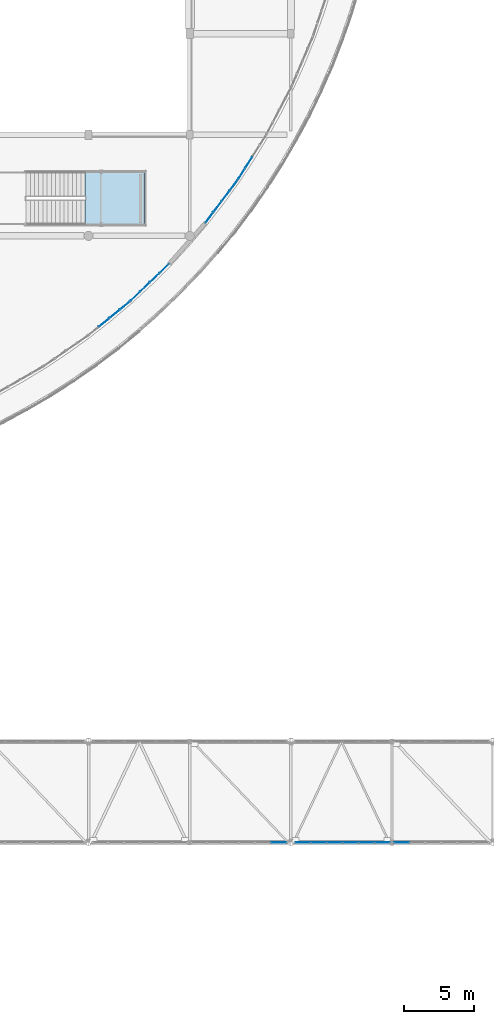
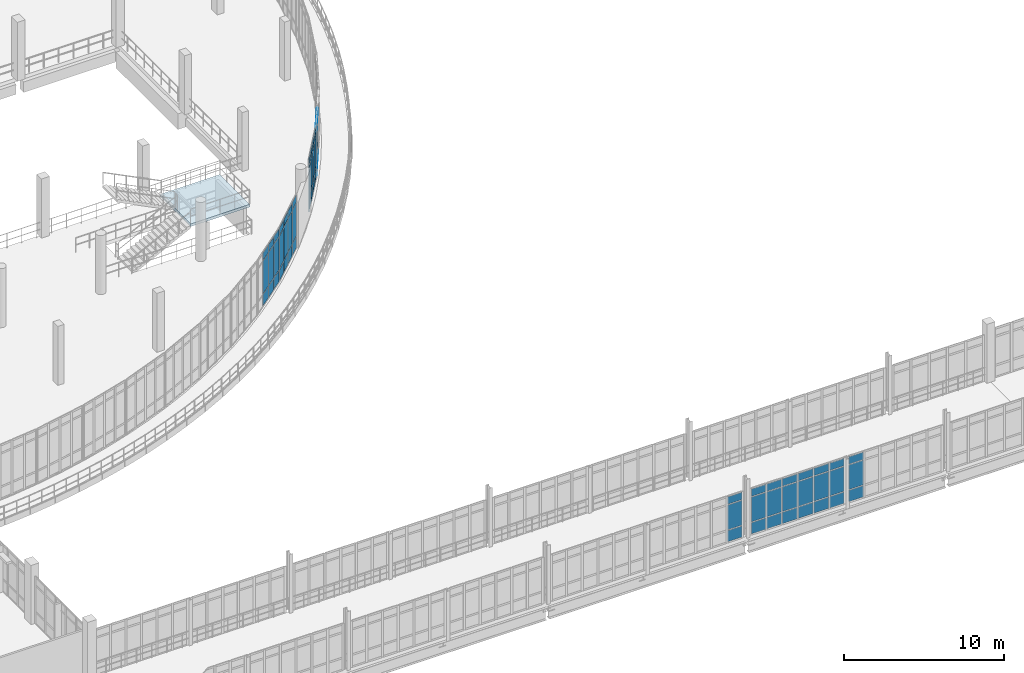
# One storey, part 93 of 124: 63 plates, 1 slab, 8 elements without a shape of their own.
"""IFC4 building model written with IfcOpenShell, lengths in metres."""

from ifc_helpers import new_model, si_unit, direction, frame, origin, origin_2d, place, context, subcontext, project, spatial, polyline, rectangle, outline, extrude, material, layer, layer_set, type_object, element, aggregate, save


model = new_model("IFC4")

# Units and contexts
model_context = context("Model", 3, precision=1e-05, world=origin(), true_north=direction((0.0, 1.0)))
body_context = subcontext(model_context, "Body", "Model", "MODEL_VIEW")
ifc_project = project(units=[si_unit("LENGTHUNIT", "METRE"), si_unit("AREAUNIT", "SQUARE_METRE"), si_unit("VOLUMEUNIT", "CUBIC_METRE"), si_unit("PLANEANGLEUNIT", "RADIAN"), si_unit("MASSUNIT", "GRAM", prefix="KILO")], contexts=[model_context])

# Site, building, storey
site_placement = place(None, origin())
site = spatial("IfcSite", under=ifc_project, at=site_placement, CompositionType="ELEMENT")
building_placement = place(site_placement, origin())
building = spatial("IfcBuilding", under=site, at=building_placement, Name="Kalluvel Institute of Natural Sciences", CompositionType="ELEMENT")
storey_placement = place(building_placement, frame((0.0, 0.0, 9.89990234375)))
storey = spatial("IfcBuildingStorey", under=building, at=storey_placement, Name="L02", CompositionType="ELEMENT", Elevation=9.89990234375)

# Curtain wall, plates
ifc_material_1 = material(Name="Aluminium AW-6063 T6", Category="aluminium")
curtain_wall_type_1 = type_object("IfcCurtainWallType", Name="CW-BRG-45", PredefinedType="USERDEFINED", material=ifc_material_1)
curtain_wall_1_placement = place(storey_placement, origin())
curtain_wall_1 = element("IfcCurtainWall", 1, at=curtain_wall_1_placement, inside=storey, type_object=curtain_wall_type_1, Name="L02 Gothic lancet curtain wall CWA-L02-X717-Y284", ObjectType="UNITISED LANCET FACADE", PredefinedType="USERDEFINED")
ifc_material_2 = material(Name="Solar-Control Low-E Laminated Glass", Category="glass")
ifc_layer_1 = layer(ifc_material_2, 0.031982421875)
ifc_layer_set_1 = layer_set([ifc_layer_1], Name="Solar-Control Low-E Laminated Glass")
plate_type_1 = type_object("IfcPlateType", Name="CWP-DGU-32", PredefinedType="CURTAIN_PANEL", material=ifc_layer_set_1)
plate_1_placement = place(storey_placement, frame((77.942138671875, 28.39990234375, 0.06005859375), z_axis=(0.0, 0.0, 1.0), x_axis=(1.0, 0.0, 0.0)))
plate_1 = element("IfcPlate", 2, at=plate_1_placement, type_object=plate_type_1, Name="CW-07 panel 6.1", PredefinedType="CURTAIN_PANEL", context=body_context, shape_type="SweptSolid", body=[
    extrude(rectangle(XDim=1.0458984375, YDim=0.031982421875, at=origin_2d()), origin(), (0.0, 0.0, 1.0), 0.860107421875),
])
plate_2_placement = place(storey_placement, frame((77.942138671875, 28.39990234375, 0.980224609375), z_axis=(0.0, 0.0, 1.0), x_axis=(1.0, 0.0, 0.0)))
plate_2 = element("IfcPlate", 3, at=plate_2_placement, type_object=plate_type_1, Name="CW-07 panel 6.2", PredefinedType="CURTAIN_PANEL", context=body_context, shape_type="SweptSolid", body=[
    extrude(rectangle(XDim=1.0458984375, YDim=0.031982421875, at=origin_2d()), origin(), (0.0, 0.0, 1.0), 1.8798828125),
])
plate_3_placement = place(storey_placement, frame((77.942138671875, 28.39990234375, 2.920166015625), z_axis=(0.0, 0.0, 1.0), x_axis=(1.0, 0.0, 0.0)))
plate_3 = element("IfcPlate", 4, at=plate_3_placement, type_object=plate_type_1, Name="CW-07 panel 6.3", PredefinedType="CURTAIN_PANEL", context=body_context, shape_type="SweptSolid", body=[
    extrude(rectangle(XDim=1.0458984375, YDim=0.031982421875, at=origin_2d()), origin(), (0.0, 0.0, 1.0), 0.56005859375),
])
aggregate(curtain_wall_1, [plate_1, plate_2, plate_3])

curtain_wall_2_placement = place(storey_placement, origin())
curtain_wall_2 = element("IfcCurtainWall", 5, at=curtain_wall_2_placement, inside=storey, type_object=curtain_wall_type_1, Name="L02 Gothic lancet curtain wall CWA-L02-X791-Y284", ObjectType="UNITISED LANCET FACADE", PredefinedType="USERDEFINED")
plate_4_placement = place(storey_placement, frame((79.657958984375, 28.39990234375, 0.06005859375), z_axis=(0.0, 0.0, 1.0), x_axis=(1.0, 0.0, 0.0)))
plate_4 = element("IfcPlate", 6, at=plate_4_placement, type_object=plate_type_1, Name="CW-07 panel 1.1", PredefinedType="CURTAIN_PANEL", context=body_context, shape_type="SweptSolid", body=[
    extrude(rectangle(XDim=1.0458984375, YDim=0.031982421875, at=origin_2d()), origin(), (0.0, 0.0, 1.0), 0.860107421875),
])
plate_5_placement = place(storey_placement, frame((79.657958984375, 28.39990234375, 0.980224609375), z_axis=(0.0, 0.0, 1.0), x_axis=(1.0, 0.0, 0.0)))
plate_5 = element("IfcPlate", 7, at=plate_5_placement, type_object=plate_type_1, Name="CW-07 panel 1.2", PredefinedType="CURTAIN_PANEL", context=body_context, shape_type="SweptSolid", body=[
    extrude(rectangle(XDim=1.0458984375, YDim=0.031982421875, at=origin_2d()), origin(), (0.0, 0.0, 1.0), 1.8798828125),
])
plate_6_placement = place(storey_placement, frame((79.657958984375, 28.39990234375, 2.920166015625), z_axis=(0.0, 0.0, 1.0), x_axis=(1.0, 0.0, 0.0)))
plate_6 = element("IfcPlate", 8, at=plate_6_placement, type_object=plate_type_1, Name="CW-07 panel 1.3", PredefinedType="CURTAIN_PANEL", context=body_context, shape_type="SweptSolid", body=[
    extrude(rectangle(XDim=1.0458984375, YDim=0.031982421875, at=origin_2d()), origin(), (0.0, 0.0, 1.0), 0.56005859375),
])
plate_7_placement = place(storey_placement, frame((80.77880859375, 28.39990234375, 0.06005859375), z_axis=(0.0, 0.0, 1.0), x_axis=(1.0, 0.0, 0.0)))
plate_7 = element("IfcPlate", 9, at=plate_7_placement, type_object=plate_type_1, Name="CW-07 panel 2.1", PredefinedType="CURTAIN_PANEL", context=body_context, shape_type="SweptSolid", body=[
    extrude(rectangle(XDim=1.075927734375, YDim=0.031982421875, at=origin_2d()), origin(), (0.0, 0.0, 1.0), 0.860107421875),
])
plate_8_placement = place(storey_placement, frame((80.77880859375, 28.39990234375, 0.980224609375), z_axis=(0.0, 0.0, 1.0), x_axis=(1.0, 0.0, 0.0)))
plate_8 = element("IfcPlate", 10, at=plate_8_placement, type_object=plate_type_1, Name="CW-07 panel 2.2", PredefinedType="CURTAIN_PANEL", context=body_context, shape_type="SweptSolid", body=[
    extrude(rectangle(XDim=1.075927734375, YDim=0.031982421875, at=origin_2d()), origin(), (0.0, 0.0, 1.0), 1.8798828125),
])
plate_9_placement = place(storey_placement, frame((80.77880859375, 28.39990234375, 2.920166015625), z_axis=(0.0, 0.0, 1.0), x_axis=(1.0, 0.0, 0.0)))
plate_9 = element("IfcPlate", 11, at=plate_9_placement, type_object=plate_type_1, Name="CW-07 panel 2.3", PredefinedType="CURTAIN_PANEL", context=body_context, shape_type="SweptSolid", body=[
    extrude(rectangle(XDim=1.075927734375, YDim=0.031982421875, at=origin_2d()), origin(), (0.0, 0.0, 1.0), 0.56005859375),
])
plate_10_placement = place(storey_placement, frame((81.91455078125, 28.39990234375, 0.06005859375), z_axis=(0.0, 0.0, 1.0), x_axis=(1.0, 0.0, 0.0)))
plate_10 = element("IfcPlate", 12, at=plate_10_placement, type_object=plate_type_1, Name="CW-07 panel 3.1", PredefinedType="CURTAIN_PANEL", context=body_context, shape_type="SweptSolid", body=[
    extrude(rectangle(XDim=1.075927734375, YDim=0.031982421875, at=origin_2d()), origin(), (0.0, 0.0, 1.0), 0.860107421875),
])
plate_11_placement = place(storey_placement, frame((81.91455078125, 28.39990234375, 0.980224609375), z_axis=(0.0, 0.0, 1.0), x_axis=(1.0, 0.0, 0.0)))
plate_11 = element("IfcPlate", 13, at=plate_11_placement, type_object=plate_type_1, Name="CW-07 panel 3.2", PredefinedType="CURTAIN_PANEL", context=body_context, shape_type="SweptSolid", body=[
    extrude(rectangle(XDim=1.075927734375, YDim=0.031982421875, at=origin_2d()), origin(), (0.0, 0.0, 1.0), 1.8798828125),
])
plate_12_placement = place(storey_placement, frame((81.91455078125, 28.39990234375, 2.920166015625), z_axis=(0.0, 0.0, 1.0), x_axis=(1.0, 0.0, 0.0)))
plate_12 = element("IfcPlate", 14, at=plate_12_placement, type_object=plate_type_1, Name="CW-07 panel 3.3", PredefinedType="CURTAIN_PANEL", context=body_context, shape_type="SweptSolid", body=[
    extrude(rectangle(XDim=1.075927734375, YDim=0.031982421875, at=origin_2d()), origin(), (0.0, 0.0, 1.0), 0.56005859375),
])
plate_13_placement = place(storey_placement, frame((83.050537109375, 28.39990234375, 0.06005859375), z_axis=(0.0, 0.0, 1.0), x_axis=(1.0, 0.0, 0.0)))
plate_13 = element("IfcPlate", 15, at=plate_13_placement, type_object=plate_type_1, Name="CW-07 panel 4.1", PredefinedType="CURTAIN_PANEL", context=body_context, shape_type="SweptSolid", body=[
    extrude(rectangle(XDim=1.075927734375, YDim=0.031982421875, at=origin_2d()), origin(), (0.0, 0.0, 1.0), 0.860107421875),
])
plate_14_placement = place(storey_placement, frame((83.050537109375, 28.39990234375, 0.980224609375), z_axis=(0.0, 0.0, 1.0), x_axis=(1.0, 0.0, 0.0)))
plate_14 = element("IfcPlate", 16, at=plate_14_placement, type_object=plate_type_1, Name="CW-07 panel 4.2", PredefinedType="CURTAIN_PANEL", context=body_context, shape_type="SweptSolid", body=[
    extrude(rectangle(XDim=1.075927734375, YDim=0.031982421875, at=origin_2d()), origin(), (0.0, 0.0, 1.0), 1.8798828125),
])
plate_15_placement = place(storey_placement, frame((83.050537109375, 28.39990234375, 2.920166015625), z_axis=(0.0, 0.0, 1.0), x_axis=(1.0, 0.0, 0.0)))
plate_15 = element("IfcPlate", 17, at=plate_15_placement, type_object=plate_type_1, Name="CW-07 panel 4.3", PredefinedType="CURTAIN_PANEL", context=body_context, shape_type="SweptSolid", body=[
    extrude(rectangle(XDim=1.075927734375, YDim=0.031982421875, at=origin_2d()), origin(), (0.0, 0.0, 1.0), 0.56005859375),
])
plate_16_placement = place(storey_placement, frame((84.186279296875, 28.39990234375, 0.06005859375), z_axis=(0.0, 0.0, 1.0), x_axis=(1.0, 0.0, 0.0)))
plate_16 = element("IfcPlate", 18, at=plate_16_placement, type_object=plate_type_1, Name="CW-07 panel 5.1", PredefinedType="CURTAIN_PANEL", context=body_context, shape_type="SweptSolid", body=[
    extrude(rectangle(XDim=1.075927734375, YDim=0.031982421875, at=origin_2d()), origin(), (0.0, 0.0, 1.0), 0.860107421875),
])
plate_17_placement = place(storey_placement, frame((84.186279296875, 28.39990234375, 0.980224609375), z_axis=(0.0, 0.0, 1.0), x_axis=(1.0, 0.0, 0.0)))
plate_17 = element("IfcPlate", 19, at=plate_17_placement, type_object=plate_type_1, Name="CW-07 panel 5.2", PredefinedType="CURTAIN_PANEL", context=body_context, shape_type="SweptSolid", body=[
    extrude(rectangle(XDim=1.075927734375, YDim=0.031982421875, at=origin_2d()), origin(), (0.0, 0.0, 1.0), 1.8798828125),
])
plate_18_placement = place(storey_placement, frame((84.186279296875, 28.39990234375, 2.920166015625), z_axis=(0.0, 0.0, 1.0), x_axis=(1.0, 0.0, 0.0)))
plate_18 = element("IfcPlate", 20, at=plate_18_placement, type_object=plate_type_1, Name="CW-07 panel 5.3", PredefinedType="CURTAIN_PANEL", context=body_context, shape_type="SweptSolid", body=[
    extrude(rectangle(XDim=1.075927734375, YDim=0.031982421875, at=origin_2d()), origin(), (0.0, 0.0, 1.0), 0.56005859375),
])
plate_19_placement = place(storey_placement, frame((85.30712890625, 28.39990234375, 0.06005859375), z_axis=(0.0, 0.0, 1.0), x_axis=(1.0, 0.0, 0.0)))
plate_19 = element("IfcPlate", 21, at=plate_19_placement, type_object=plate_type_1, Name="CW-07 panel 6.1", PredefinedType="CURTAIN_PANEL", context=body_context, shape_type="SweptSolid", body=[
    extrude(rectangle(XDim=1.0458984375, YDim=0.031982421875, at=origin_2d()), origin(), (0.0, 0.0, 1.0), 0.860107421875),
])
plate_20_placement = place(storey_placement, frame((85.30712890625, 28.39990234375, 0.980224609375), z_axis=(0.0, 0.0, 1.0), x_axis=(1.0, 0.0, 0.0)))
plate_20 = element("IfcPlate", 22, at=plate_20_placement, type_object=plate_type_1, Name="CW-07 panel 6.2", PredefinedType="CURTAIN_PANEL", context=body_context, shape_type="SweptSolid", body=[
    extrude(rectangle(XDim=1.0458984375, YDim=0.031982421875, at=origin_2d()), origin(), (0.0, 0.0, 1.0), 1.8798828125),
])
plate_21_placement = place(storey_placement, frame((85.30712890625, 28.39990234375, 2.920166015625), z_axis=(0.0, 0.0, 1.0), x_axis=(1.0, 0.0, 0.0)))
plate_21 = element("IfcPlate", 23, at=plate_21_placement, type_object=plate_type_1, Name="CW-07 panel 6.3", PredefinedType="CURTAIN_PANEL", context=body_context, shape_type="SweptSolid", body=[
    extrude(rectangle(XDim=1.0458984375, YDim=0.031982421875, at=origin_2d()), origin(), (0.0, 0.0, 1.0), 0.56005859375),
])
aggregate(curtain_wall_2, [plate_4, plate_5, plate_6, plate_7, plate_8, plate_9, plate_10, plate_11, plate_12, plate_13, plate_14, plate_15, plate_16, plate_17, plate_18, plate_19, plate_20, plate_21])

curtain_wall_3_placement = place(storey_placement, origin())
curtain_wall_3 = element("IfcCurtainWall", 24, at=curtain_wall_3_placement, inside=storey, type_object=curtain_wall_type_1, Name="L02 Gothic lancet curtain wall CWA-L02-X861-Y284", ObjectType="UNITISED LANCET FACADE", PredefinedType="USERDEFINED")
plate_22_placement = place(storey_placement, frame((86.69287109375, 28.39990234375, 0.06005859375), z_axis=(0.0, 0.0, 1.0), x_axis=(1.0, 0.0, 0.0)))
plate_22 = element("IfcPlate", 25, at=plate_22_placement, type_object=plate_type_1, Name="CW-07 panel 1.1", PredefinedType="CURTAIN_PANEL", context=body_context, shape_type="SweptSolid", body=[
    extrude(rectangle(XDim=1.0458984375, YDim=0.031982421875, at=origin_2d()), origin(), (0.0, 0.0, 1.0), 0.860107421875),
])
plate_23_placement = place(storey_placement, frame((86.69287109375, 28.39990234375, 0.980224609375), z_axis=(0.0, 0.0, 1.0), x_axis=(1.0, 0.0, 0.0)))
plate_23 = element("IfcPlate", 26, at=plate_23_placement, type_object=plate_type_1, Name="CW-07 panel 1.2", PredefinedType="CURTAIN_PANEL", context=body_context, shape_type="SweptSolid", body=[
    extrude(rectangle(XDim=1.0458984375, YDim=0.031982421875, at=origin_2d()), origin(), (0.0, 0.0, 1.0), 1.8798828125),
])
plate_24_placement = place(storey_placement, frame((86.69287109375, 28.39990234375, 2.920166015625), z_axis=(0.0, 0.0, 1.0), x_axis=(1.0, 0.0, 0.0)))
plate_24 = element("IfcPlate", 27, at=plate_24_placement, type_object=plate_type_1, Name="CW-07 panel 1.3", PredefinedType="CURTAIN_PANEL", context=body_context, shape_type="SweptSolid", body=[
    extrude(rectangle(XDim=1.0458984375, YDim=0.031982421875, at=origin_2d()), origin(), (0.0, 0.0, 1.0), 0.56005859375),
])
aggregate(curtain_wall_3, [plate_22, plate_23, plate_24])

curtain_wall_type_2 = type_object("IfcCurtainWallType", Name="CW-ATR-ARC", PredefinedType="USERDEFINED", material=ifc_material_1)
curtain_wall_4_placement = place(storey_placement, origin())
curtain_wall_4 = element("IfcCurtainWall", 28, at=curtain_wall_4_placement, inside=storey, type_object=curtain_wall_type_2, Name="L02 Gothic lancet curtain wall CWA-L02-X644-Y645", ObjectType="UNITISED LANCET FACADE", PredefinedType="USERDEFINED")
ifc_layer_2 = layer(ifc_material_2, 0.035888671875)
ifc_layer_set_2 = layer_set([ifc_layer_2], Name="Solar-Control Low-E Laminated Glass")
plate_type_2 = type_object("IfcPlateType", Name="CWP-DGU-36", PredefinedType="CURTAIN_PANEL", material=ifc_layer_set_2)
plate_25_placement = place(storey_placement, frame((65.49609375, 65.421630859375, 0.06005859375), z_axis=(0.0, 0.0, 1.0), x_axis=(0.774608325744, 0.632441255523, 0.0)))
plate_25 = element("IfcPlate", 29, at=plate_25_placement, type_object=plate_type_2, Name="CW-05 panel 2.1", PredefinedType="CURTAIN_PANEL", context=body_context, shape_type="SweptSolid", body=[
    extrude(rectangle(XDim=0.904296875, YDim=0.035888671875, at=origin_2d()), origin(), (0.0, 0.0, 1.0), 0.860107421875),
])
plate_26_placement = place(storey_placement, frame((65.49609375, 65.421630859375, 0.97998046875), z_axis=(0.0, 0.0, 1.0), x_axis=(0.774608325744, 0.632441255523, 0.0)))
plate_26 = element("IfcPlate", 30, at=plate_26_placement, type_object=plate_type_2, Name="CW-05 panel 2.2", PredefinedType="CURTAIN_PANEL", context=body_context, shape_type="SweptSolid", body=[
    extrude(rectangle(XDim=0.904296875, YDim=0.035888671875, at=origin_2d()), origin(), (0.0, 0.0, 1.0), 2.489990234375),
])
plate_27_placement = place(storey_placement, frame((65.49609375, 65.421630859375, 3.530029296875), z_axis=(0.0, 0.0, 1.0), x_axis=(0.774608325744, 0.632441255523, 0.0)))
plate_27 = element("IfcPlate", 31, at=plate_27_placement, type_object=plate_type_2, Name="CW-05 panel 2.3", PredefinedType="CURTAIN_PANEL", context=body_context, shape_type="SweptSolid", body=[
    extrude(rectangle(XDim=0.904296875, YDim=0.035888671875, at=origin_2d()), origin(), (0.0, 0.0, 1.0), 0.56005859375),
])
plate_28_placement = place(storey_placement, frame((66.2431640625, 66.031494140625, 0.06005859375), z_axis=(0.0, 0.0, 1.0), x_axis=(0.774608325744, 0.632441255523, 0.0)))
plate_28 = element("IfcPlate", 32, at=plate_28_placement, type_object=plate_type_2, Name="CW-05 panel 3.1", PredefinedType="CURTAIN_PANEL", context=body_context, shape_type="SweptSolid", body=[
    extrude(rectangle(XDim=0.904296875, YDim=0.035888671875, at=origin_2d()), origin(), (0.0, 0.0, 1.0), 0.860107421875),
])
plate_29_placement = place(storey_placement, frame((66.2431640625, 66.031494140625, 0.97998046875), z_axis=(0.0, 0.0, 1.0), x_axis=(0.774608325744, 0.632441255523, 0.0)))
plate_29 = element("IfcPlate", 33, at=plate_29_placement, type_object=plate_type_2, Name="CW-05 panel 3.2", PredefinedType="CURTAIN_PANEL", context=body_context, shape_type="SweptSolid", body=[
    extrude(rectangle(XDim=0.904296875, YDim=0.035888671875, at=origin_2d()), origin(), (0.0, 0.0, 1.0), 2.489990234375),
])
plate_30_placement = place(storey_placement, frame((66.2431640625, 66.031494140625, 3.530029296875), z_axis=(0.0, 0.0, 1.0), x_axis=(0.774608325744, 0.632441255523, 0.0)))
plate_30 = element("IfcPlate", 34, at=plate_30_placement, type_object=plate_type_2, Name="CW-05 panel 3.3", PredefinedType="CURTAIN_PANEL", context=body_context, shape_type="SweptSolid", body=[
    extrude(rectangle(XDim=0.904296875, YDim=0.035888671875, at=origin_2d()), origin(), (0.0, 0.0, 1.0), 0.56005859375),
])
plate_31_placement = place(storey_placement, frame((66.978515625, 66.6318359375, 0.06005859375), z_axis=(0.0, 0.0, 1.0), x_axis=(0.774608325744, 0.632441255523, 0.0)))
plate_31 = element("IfcPlate", 35, at=plate_31_placement, type_object=plate_type_2, Name="CW-05 panel 4.1", PredefinedType="CURTAIN_PANEL", context=body_context, shape_type="SweptSolid", body=[
    extrude(rectangle(XDim=0.874267578125, YDim=0.035888671875, at=origin_2d()), origin(), (0.0, 0.0, 1.0), 0.860107421875),
])
plate_32_placement = place(storey_placement, frame((66.978515625, 66.6318359375, 0.97998046875), z_axis=(0.0, 0.0, 1.0), x_axis=(0.774608325744, 0.632441255523, 0.0)))
plate_32 = element("IfcPlate", 36, at=plate_32_placement, type_object=plate_type_2, Name="CW-05 panel 4.2", PredefinedType="CURTAIN_PANEL", context=body_context, shape_type="SweptSolid", body=[
    extrude(rectangle(XDim=0.874267578125, YDim=0.035888671875, at=origin_2d()), origin(), (0.0, 0.0, 1.0), 2.489990234375),
])
plate_33_placement = place(storey_placement, frame((66.978515625, 66.6318359375, 3.530029296875), z_axis=(0.0, 0.0, 1.0), x_axis=(0.774608325744, 0.632441255523, 0.0)))
plate_33 = element("IfcPlate", 37, at=plate_33_placement, type_object=plate_type_2, Name="CW-05 panel 4.3", PredefinedType="CURTAIN_PANEL", context=body_context, shape_type="SweptSolid", body=[
    extrude(rectangle(XDim=0.874267578125, YDim=0.035888671875, at=origin_2d()), origin(), (0.0, 0.0, 1.0), 0.56005859375),
])
aggregate(curtain_wall_4, [plate_25, plate_26, plate_27, plate_28, plate_29, plate_30, plate_31, plate_32, plate_33])

curtain_wall_5_placement = place(storey_placement, origin())
curtain_wall_5 = element("IfcCurtainWall", 38, at=curtain_wall_5_placement, inside=storey, type_object=curtain_wall_type_2, Name="L02 Gothic lancet curtain wall CWA-L02-X674-Y669", ObjectType="UNITISED LANCET FACADE", PredefinedType="USERDEFINED")
plate_34_placement = place(storey_placement, frame((67.72216796875, 67.290771484375, 0.06005859375), z_axis=(0.0, 0.0, 1.0), x_axis=(0.721195618202, 0.692731463329, 0.0)))
plate_34 = element("IfcPlate", 39, at=plate_34_placement, type_object=plate_type_2, Name="CW-05 panel 1.1", PredefinedType="CURTAIN_PANEL", context=body_context, shape_type="SweptSolid", body=[
    extrude(rectangle(XDim=0.874267578125, YDim=0.035888671875, at=origin_2d()), origin(), (0.0, 0.0, 1.0), 0.860107421875),
])
plate_35_placement = place(storey_placement, frame((67.72216796875, 67.290771484375, 0.97998046875), z_axis=(0.0, 0.0, 1.0), x_axis=(0.721195618202, 0.692731463329, 0.0)))
plate_35 = element("IfcPlate", 40, at=plate_35_placement, type_object=plate_type_2, Name="CW-05 panel 1.2", PredefinedType="CURTAIN_PANEL", context=body_context, shape_type="SweptSolid", body=[
    extrude(rectangle(XDim=0.874267578125, YDim=0.035888671875, at=origin_2d()), origin(), (0.0, 0.0, 1.0), 2.489990234375),
])
plate_36_placement = place(storey_placement, frame((67.72216796875, 67.290771484375, 3.530029296875), z_axis=(0.0, 0.0, 1.0), x_axis=(0.721195618202, 0.692731463329, 0.0)))
plate_36 = element("IfcPlate", 41, at=plate_36_placement, type_object=plate_type_2, Name="CW-05 panel 1.3", PredefinedType="CURTAIN_PANEL", context=body_context, shape_type="SweptSolid", body=[
    extrude(rectangle(XDim=0.874267578125, YDim=0.035888671875, at=origin_2d()), origin(), (0.0, 0.0, 1.0), 0.56005859375),
])
plate_37_placement = place(storey_placement, frame((68.40673828125, 67.948486328125, 0.06005859375), z_axis=(0.0, 0.0, 1.0), x_axis=(0.721195618202, 0.692731463329, 0.0)))
plate_37 = element("IfcPlate", 42, at=plate_37_placement, type_object=plate_type_2, Name="CW-05 panel 2.1", PredefinedType="CURTAIN_PANEL", context=body_context, shape_type="SweptSolid", body=[
    extrude(rectangle(XDim=0.904296875, YDim=0.035888671875, at=origin_2d()), origin(), (0.0, 0.0, 1.0), 0.860107421875),
])
plate_38_placement = place(storey_placement, frame((68.40673828125, 67.948486328125, 0.97998046875), z_axis=(0.0, 0.0, 1.0), x_axis=(0.721195618202, 0.692731463329, 0.0)))
plate_38 = element("IfcPlate", 43, at=plate_38_placement, type_object=plate_type_2, Name="CW-05 panel 2.2", PredefinedType="CURTAIN_PANEL", context=body_context, shape_type="SweptSolid", body=[
    extrude(rectangle(XDim=0.904296875, YDim=0.035888671875, at=origin_2d()), origin(), (0.0, 0.0, 1.0), 2.489990234375),
])
plate_39_placement = place(storey_placement, frame((68.40673828125, 67.948486328125, 3.530029296875), z_axis=(0.0, 0.0, 1.0), x_axis=(0.721195618202, 0.692731463329, 0.0)))
plate_39 = element("IfcPlate", 44, at=plate_39_placement, type_object=plate_type_2, Name="CW-05 panel 2.3", PredefinedType="CURTAIN_PANEL", context=body_context, shape_type="SweptSolid", body=[
    extrude(rectangle(XDim=0.904296875, YDim=0.035888671875, at=origin_2d()), origin(), (0.0, 0.0, 1.0), 0.56005859375),
])
plate_40_placement = place(storey_placement, frame((69.102294921875, 68.616455078125, 0.06005859375), z_axis=(0.0, 0.0, 1.0), x_axis=(0.721195618202, 0.692731463329, 0.0)))
plate_40 = element("IfcPlate", 45, at=plate_40_placement, type_object=plate_type_2, Name="CW-05 panel 3.1", PredefinedType="CURTAIN_PANEL", context=body_context, shape_type="SweptSolid", body=[
    extrude(rectangle(XDim=0.904296875, YDim=0.035888671875, at=origin_2d()), origin(), (0.0, 0.0, 1.0), 0.860107421875),
])
plate_41_placement = place(storey_placement, frame((69.102294921875, 68.616455078125, 0.97998046875), z_axis=(0.0, 0.0, 1.0), x_axis=(0.721195618202, 0.692731463329, 0.0)))
plate_41 = element("IfcPlate", 46, at=plate_41_placement, type_object=plate_type_2, Name="CW-05 panel 3.2", PredefinedType="CURTAIN_PANEL", context=body_context, shape_type="SweptSolid", body=[
    extrude(rectangle(XDim=0.904296875, YDim=0.035888671875, at=origin_2d()), origin(), (0.0, 0.0, 1.0), 2.489990234375),
])
plate_42_placement = place(storey_placement, frame((69.102294921875, 68.616455078125, 3.530029296875), z_axis=(0.0, 0.0, 1.0), x_axis=(0.721195618202, 0.692731463329, 0.0)))
plate_42 = element("IfcPlate", 47, at=plate_42_placement, type_object=plate_type_2, Name="CW-05 panel 3.3", PredefinedType="CURTAIN_PANEL", context=body_context, shape_type="SweptSolid", body=[
    extrude(rectangle(XDim=0.904296875, YDim=0.035888671875, at=origin_2d()), origin(), (0.0, 0.0, 1.0), 0.56005859375),
])
plate_43_placement = place(storey_placement, frame((69.787109375, 69.274169921875, 0.06005859375), z_axis=(0.0, 0.0, 1.0), x_axis=(0.721195618202, 0.692731463329, 0.0)))
plate_43 = element("IfcPlate", 48, at=plate_43_placement, type_object=plate_type_2, Name="CW-05 panel 4.1", PredefinedType="CURTAIN_PANEL", context=body_context, shape_type="SweptSolid", body=[
    extrude(rectangle(XDim=0.874267578125, YDim=0.035888671875, at=origin_2d()), origin(), (0.0, 0.0, 1.0), 0.860107421875),
])
plate_44_placement = place(storey_placement, frame((69.787109375, 69.274169921875, 0.97998046875), z_axis=(0.0, 0.0, 1.0), x_axis=(0.721195618202, 0.692731463329, 0.0)))
plate_44 = element("IfcPlate", 49, at=plate_44_placement, type_object=plate_type_2, Name="CW-05 panel 4.2", PredefinedType="CURTAIN_PANEL", context=body_context, shape_type="SweptSolid", body=[
    extrude(rectangle(XDim=0.874267578125, YDim=0.035888671875, at=origin_2d()), origin(), (0.0, 0.0, 1.0), 2.489990234375),
])
plate_45_placement = place(storey_placement, frame((69.787109375, 69.274169921875, 3.530029296875), z_axis=(0.0, 0.0, 1.0), x_axis=(0.721195618202, 0.692731463329, 0.0)))
plate_45 = element("IfcPlate", 50, at=plate_45_placement, type_object=plate_type_2, Name="CW-05 panel 4.3", PredefinedType="CURTAIN_PANEL", context=body_context, shape_type="SweptSolid", body=[
    extrude(rectangle(XDim=0.874267578125, YDim=0.035888671875, at=origin_2d()), origin(), (0.0, 0.0, 1.0), 0.56005859375),
])
aggregate(curtain_wall_5, [plate_34, plate_35, plate_36, plate_37, plate_38, plate_39, plate_40, plate_41, plate_42, plate_43, plate_44, plate_45])

curtain_wall_6_placement = place(storey_placement, origin())
curtain_wall_6 = element("IfcCurtainWall", 51, at=curtain_wall_6_placement, inside=storey, type_object=curtain_wall_type_2, Name="L02 Gothic lancet curtain wall CWA-L02-X727-Y725", ObjectType="UNITISED LANCET FACADE", PredefinedType="USERDEFINED")
plate_46_placement = place(storey_placement, frame((73.002197265625, 72.9033203125, 0.06005859375), z_axis=(0.0, 0.0, 1.0), x_axis=(0.600738061487, 0.799445921549, 0.0)))
plate_46 = element("IfcPlate", 52, at=plate_46_placement, type_object=plate_type_2, Name="CW-05 panel 1.1", PredefinedType="CURTAIN_PANEL", context=body_context, shape_type="SweptSolid", body=[
    extrude(rectangle(XDim=0.874267578125, YDim=0.035888671875, at=origin_2d()), origin(), (0.0, 0.0, 1.0), 0.860107421875),
])
plate_47_placement = place(storey_placement, frame((73.002197265625, 72.9033203125, 0.97998046875), z_axis=(0.0, 0.0, 1.0), x_axis=(0.600738061487, 0.799445921549, 0.0)))
plate_47 = element("IfcPlate", 53, at=plate_47_placement, type_object=plate_type_2, Name="CW-05 panel 1.2", PredefinedType="CURTAIN_PANEL", context=body_context, shape_type="SweptSolid", body=[
    extrude(rectangle(XDim=0.874267578125, YDim=0.035888671875, at=origin_2d()), origin(), (0.0, 0.0, 1.0), 2.489990234375),
])
plate_48_placement = place(storey_placement, frame((73.002197265625, 72.9033203125, 3.530029296875), z_axis=(0.0, 0.0, 1.0), x_axis=(0.600738061487, 0.799445921549, 0.0)))
plate_48 = element("IfcPlate", 54, at=plate_48_placement, type_object=plate_type_2, Name="CW-05 panel 1.3", PredefinedType="CURTAIN_PANEL", context=body_context, shape_type="SweptSolid", body=[
    extrude(rectangle(XDim=0.874267578125, YDim=0.035888671875, at=origin_2d()), origin(), (0.0, 0.0, 1.0), 0.56005859375),
])
plate_49_placement = place(storey_placement, frame((73.572509765625, 73.662353515625, 0.06005859375), z_axis=(0.0, 0.0, 1.0), x_axis=(0.600738061487, 0.799445921549, 0.0)))
plate_49 = element("IfcPlate", 55, at=plate_49_placement, type_object=plate_type_2, Name="CW-05 panel 2.1", PredefinedType="CURTAIN_PANEL", context=body_context, shape_type="SweptSolid", body=[
    extrude(rectangle(XDim=0.904296875, YDim=0.035888671875, at=origin_2d()), origin(), (0.0, 0.0, 1.0), 0.860107421875),
])
plate_50_placement = place(storey_placement, frame((73.572509765625, 73.662353515625, 0.97998046875), z_axis=(0.0, 0.0, 1.0), x_axis=(0.600738061487, 0.799445921549, 0.0)))
plate_50 = element("IfcPlate", 56, at=plate_50_placement, type_object=plate_type_2, Name="CW-05 panel 2.2", PredefinedType="CURTAIN_PANEL", context=body_context, shape_type="SweptSolid", body=[
    extrude(rectangle(XDim=0.904296875, YDim=0.035888671875, at=origin_2d()), origin(), (0.0, 0.0, 1.0), 2.489990234375),
])
plate_51_placement = place(storey_placement, frame((73.572509765625, 73.662353515625, 3.530029296875), z_axis=(0.0, 0.0, 1.0), x_axis=(0.600738061487, 0.799445921549, 0.0)))
plate_51 = element("IfcPlate", 57, at=plate_51_placement, type_object=plate_type_2, Name="CW-05 panel 2.3", PredefinedType="CURTAIN_PANEL", context=body_context, shape_type="SweptSolid", body=[
    extrude(rectangle(XDim=0.904296875, YDim=0.035888671875, at=origin_2d()), origin(), (0.0, 0.0, 1.0), 0.56005859375),
])
plate_52_placement = place(storey_placement, frame((74.15185546875, 74.433349609375, 0.06005859375), z_axis=(0.0, 0.0, 1.0), x_axis=(0.600738061487, 0.799445921549, 0.0)))
plate_52 = element("IfcPlate", 58, at=plate_52_placement, type_object=plate_type_2, Name="CW-05 panel 3.1", PredefinedType="CURTAIN_PANEL", context=body_context, shape_type="SweptSolid", body=[
    extrude(rectangle(XDim=0.904296875, YDim=0.035888671875, at=origin_2d()), origin(), (0.0, 0.0, 1.0), 0.860107421875),
])
plate_53_placement = place(storey_placement, frame((74.15185546875, 74.433349609375, 0.97998046875), z_axis=(0.0, 0.0, 1.0), x_axis=(0.600738061487, 0.799445921549, 0.0)))
plate_53 = element("IfcPlate", 59, at=plate_53_placement, type_object=plate_type_2, Name="CW-05 panel 3.2", PredefinedType="CURTAIN_PANEL", context=body_context, shape_type="SweptSolid", body=[
    extrude(rectangle(XDim=0.904296875, YDim=0.035888671875, at=origin_2d()), origin(), (0.0, 0.0, 1.0), 2.489990234375),
])
plate_54_placement = place(storey_placement, frame((74.15185546875, 74.433349609375, 3.530029296875), z_axis=(0.0, 0.0, 1.0), x_axis=(0.600738061487, 0.799445921549, 0.0)))
plate_54 = element("IfcPlate", 60, at=plate_54_placement, type_object=plate_type_2, Name="CW-05 panel 3.3", PredefinedType="CURTAIN_PANEL", context=body_context, shape_type="SweptSolid", body=[
    extrude(rectangle(XDim=0.904296875, YDim=0.035888671875, at=origin_2d()), origin(), (0.0, 0.0, 1.0), 0.56005859375),
])
plate_55_placement = place(storey_placement, frame((74.72216796875, 75.192138671875, 0.06005859375), z_axis=(0.0, 0.0, 1.0), x_axis=(0.600738061487, 0.799445921549, 0.0)))
plate_55 = element("IfcPlate", 61, at=plate_55_placement, type_object=plate_type_2, Name="CW-05 panel 4.1", PredefinedType="CURTAIN_PANEL", context=body_context, shape_type="SweptSolid", body=[
    extrude(rectangle(XDim=0.874267578125, YDim=0.035888671875, at=origin_2d()), origin(), (0.0, 0.0, 1.0), 0.860107421875),
])
plate_56_placement = place(storey_placement, frame((74.72216796875, 75.192138671875, 0.97998046875), z_axis=(0.0, 0.0, 1.0), x_axis=(0.600738061487, 0.799445921549, 0.0)))
plate_56 = element("IfcPlate", 62, at=plate_56_placement, type_object=plate_type_2, Name="CW-05 panel 4.2", PredefinedType="CURTAIN_PANEL", context=body_context, shape_type="SweptSolid", body=[
    extrude(rectangle(XDim=0.874267578125, YDim=0.035888671875, at=origin_2d()), origin(), (0.0, 0.0, 1.0), 2.489990234375),
])
plate_57_placement = place(storey_placement, frame((74.72216796875, 75.192138671875, 3.530029296875), z_axis=(0.0, 0.0, 1.0), x_axis=(0.600738061487, 0.799445921549, 0.0)))
plate_57 = element("IfcPlate", 63, at=plate_57_placement, type_object=plate_type_2, Name="CW-05 panel 4.3", PredefinedType="CURTAIN_PANEL", context=body_context, shape_type="SweptSolid", body=[
    extrude(rectangle(XDim=0.874267578125, YDim=0.035888671875, at=origin_2d()), origin(), (0.0, 0.0, 1.0), 0.56005859375),
])
aggregate(curtain_wall_6, [plate_46, plate_47, plate_48, plate_49, plate_50, plate_51, plate_52, plate_53, plate_54, plate_55, plate_56, plate_57])

curtain_wall_7_placement = place(storey_placement, origin())
curtain_wall_7 = element("IfcCurtainWall", 64, at=curtain_wall_7_placement, inside=storey, type_object=curtain_wall_type_2, Name="L02 Gothic lancet curtain wall CWA-L02-X750-Y756", ObjectType="UNITISED LANCET FACADE", PredefinedType="USERDEFINED")
plate_58_placement = place(storey_placement, frame((75.28662109375, 76.010009765625, 0.06005859375), z_axis=(0.0, 0.0, 1.0), x_axis=(0.534467900259, 0.845188773939, 0.0)))
plate_58 = element("IfcPlate", 65, at=plate_58_placement, type_object=plate_type_2, Name="CW-05 panel 1.1", PredefinedType="CURTAIN_PANEL", context=body_context, shape_type="SweptSolid", body=[
    extrude(rectangle(XDim=0.874267578125, YDim=0.035888671875, at=origin_2d()), origin(), (0.0, 0.0, 1.0), 0.860107421875),
])
plate_59_placement = place(storey_placement, frame((75.28662109375, 76.010009765625, 0.97998046875), z_axis=(0.0, 0.0, 1.0), x_axis=(0.534467900259, 0.845188773939, 0.0)))
plate_59 = element("IfcPlate", 66, at=plate_59_placement, type_object=plate_type_2, Name="CW-05 panel 1.2", PredefinedType="CURTAIN_PANEL", context=body_context, shape_type="SweptSolid", body=[
    extrude(rectangle(XDim=0.874267578125, YDim=0.035888671875, at=origin_2d()), origin(), (0.0, 0.0, 1.0), 2.489990234375),
])
plate_60_placement = place(storey_placement, frame((75.28662109375, 76.010009765625, 3.530029296875), z_axis=(0.0, 0.0, 1.0), x_axis=(0.534467900259, 0.845188773939, 0.0)))
plate_60 = element("IfcPlate", 67, at=plate_60_placement, type_object=plate_type_2, Name="CW-05 panel 1.3", PredefinedType="CURTAIN_PANEL", context=body_context, shape_type="SweptSolid", body=[
    extrude(rectangle(XDim=0.874267578125, YDim=0.035888671875, at=origin_2d()), origin(), (0.0, 0.0, 1.0), 0.56005859375),
])
plate_61_placement = place(storey_placement, frame((75.7939453125, 76.812255859375, 0.06005859375), z_axis=(0.0, 0.0, 1.0), x_axis=(0.534467900259, 0.845188773939, 0.0)))
plate_61 = element("IfcPlate", 68, at=plate_61_placement, type_object=plate_type_2, Name="CW-05 panel 2.1", PredefinedType="CURTAIN_PANEL", context=body_context, shape_type="SweptSolid", body=[
    extrude(rectangle(XDim=0.904296875, YDim=0.035888671875, at=origin_2d()), origin(), (0.0, 0.0, 1.0), 0.860107421875),
])
plate_62_placement = place(storey_placement, frame((75.7939453125, 76.812255859375, 0.97998046875), z_axis=(0.0, 0.0, 1.0), x_axis=(0.534467900259, 0.845188773939, 0.0)))
plate_62 = element("IfcPlate", 69, at=plate_62_placement, type_object=plate_type_2, Name="CW-05 panel 2.2", PredefinedType="CURTAIN_PANEL", context=body_context, shape_type="SweptSolid", body=[
    extrude(rectangle(XDim=0.904296875, YDim=0.035888671875, at=origin_2d()), origin(), (0.0, 0.0, 1.0), 2.489990234375),
])
plate_63_placement = place(storey_placement, frame((75.7939453125, 76.812255859375, 3.530029296875), z_axis=(0.0, 0.0, 1.0), x_axis=(0.534467900259, 0.845188773939, 0.0)))
plate_63 = element("IfcPlate", 70, at=plate_63_placement, type_object=plate_type_2, Name="CW-05 panel 2.3", PredefinedType="CURTAIN_PANEL", context=body_context, shape_type="SweptSolid", body=[
    extrude(rectangle(XDim=0.904296875, YDim=0.035888671875, at=origin_2d()), origin(), (0.0, 0.0, 1.0), 0.56005859375),
])
aggregate(curtain_wall_7, [plate_58, plate_59, plate_60, plate_61, plate_62, plate_63])

# Stair, slab
ifc_material_3 = material(Name="Concrete M40", Category="concrete")
stair_type = type_object("IfcStairType", Name="STR-ST6-45", PredefinedType="HALF_TURN_STAIR", material=ifc_material_3)
stair_placement = place(storey_placement, origin())
stair = element("IfcStair", 71, at=stair_placement, inside=storey, type_object=stair_type, Name="L02 Interaction Atrium Feature Stair ST6", PredefinedType="HALF_TURN_STAIR")
ifc_layer_3 = layer(ifc_material_3, 0.199951171875)
ifc_layer_set_3 = layer_set([ifc_layer_3], Name="Concrete M40")
slab_type = type_object("IfcSlabType", Name="SLD-ST6", PredefinedType="LANDING", material=ifc_layer_set_3)
slab_placement = place(storey_placement, frame((0.0, 0.0, 2.050048828125)))
slab = element("IfcSlab", 72, at=slab_placement, type_object=slab_type, Name="S6-45 landing 1", PredefinedType="LANDING", context=body_context, shape_type="SweptSolid", body=[
    extrude(outline(polyline([(64.132080078125, 72.39990234375), (68.39990234375, 72.39990234375), (68.39990234375, 76.14990234375), (64.132080078125, 76.14990234375), (64.132080078125, 72.39990234375)])), origin(), (0.0, 0.0, 1.0), 0.199951171875),
])
aggregate(stair, [slab])

save(model, "model.ifc")
